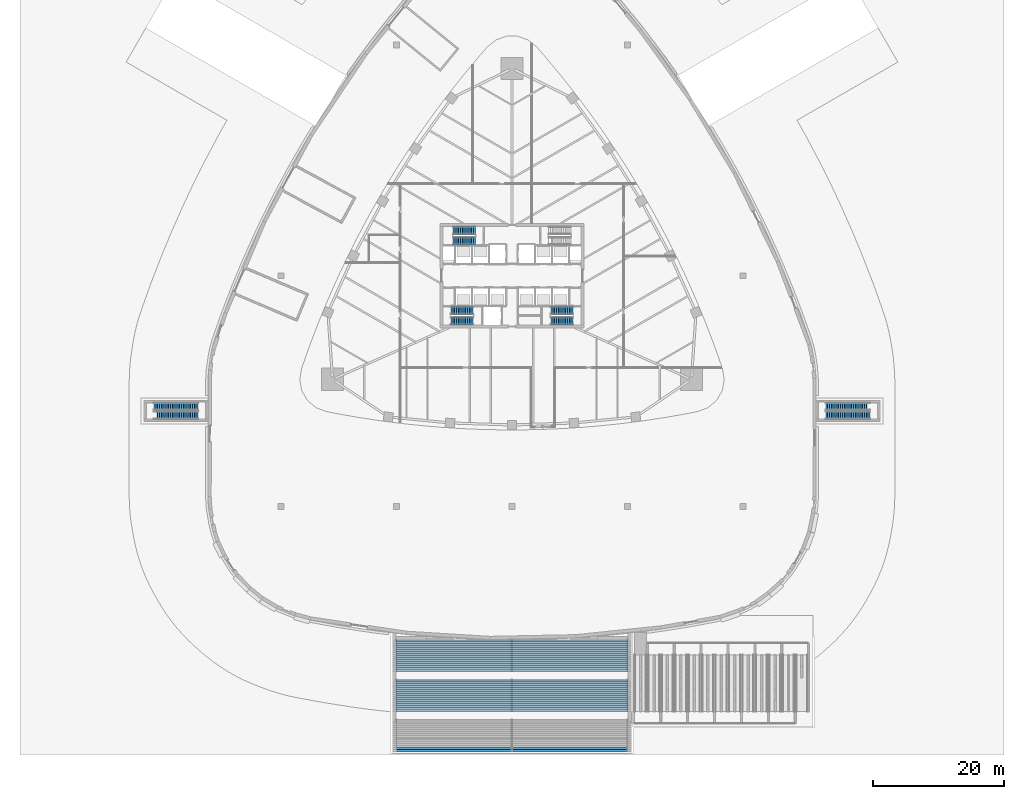
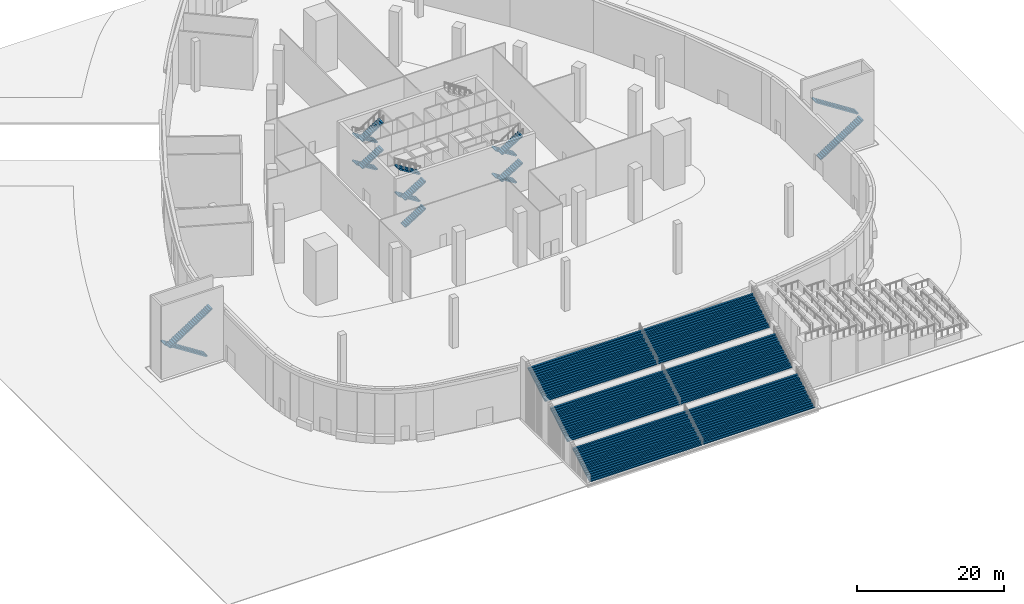
# One storey, part 15 of 29: 19 stair flights, 6 elements without a shape of their own.
"""IFC4 building model written with IfcOpenShell, lengths in metres."""

from ifc_helpers import new_model, si_unit, direction, frame, origin, place, context, subcontext, project, spatial, polyline, outline, extrude, material, type_object, element, aggregate, save


model = new_model("IFC4")

# Units and contexts
model_context = context("Model", 3, precision=1e-05, world=origin(), true_north=direction((0.0, 1.0)))
body_context = subcontext(model_context, "Body", "Model", "MODEL_VIEW")
ifc_project = project(units=[si_unit("LENGTHUNIT", "METRE"), si_unit("AREAUNIT", "SQUARE_METRE"), si_unit("VOLUMEUNIT", "CUBIC_METRE"), si_unit("PLANEANGLEUNIT", "RADIAN"), si_unit("MASSUNIT", "GRAM", prefix="KILO")], contexts=[model_context])

# Site, building, storey
site_placement = place(None, origin())
site = spatial("IfcSite", under=ifc_project, at=site_placement, CompositionType="ELEMENT")
building_placement = place(site_placement, origin())
building = spatial("IfcBuilding", under=site, at=building_placement, Name="Sierra Prisma Convention Tower", CompositionType="ELEMENT")
storey_placement = place(building_placement, origin())
storey = spatial("IfcBuildingStorey", under=building, at=storey_placement, Name="L00", CompositionType="ELEMENT", Elevation=0.0)

# Stair, stair flights
ifc_material_1 = material(Name="Concrete C35/45, limestone finish", Category="masonry")
stair_type_1 = type_object("IfcStairType", Name="Broad stair 3 flights", PredefinedType="NOTDEFINED", material=ifc_material_1)
stair_1_placement = place(storey_placement, origin())
stair_1 = element("IfcStair", 1, at=stair_1_placement, inside=storey, type_object=stair_type_1, Name="Garden stair", PredefinedType="NOTDEFINED")
ifc_material_2 = material(Name="Concrete C35/45, limestone finish", Category="masonry")
stair_flight_type_1 = type_object("IfcStairFlightType", Name="Broad stair flight", PredefinedType="STRAIGHT", material=ifc_material_2)
stair_flight_1_placement = place(storey_placement, frame((0.0, -72.490234375, 0.0), z_axis=(0.0, 0.0, 1.0), x_axis=(0.0, 1.0, 0.0)))
stair_flight_1 = element("IfcStairFlight", 2, at=stair_flight_1_placement, type_object=stair_flight_type_1, Name="ST-G flight 1", NumberOfRisers=17, NumberOfTreads=16, PredefinedType="STRAIGHT", RiserHeight=0.176470588, TreadLength=0.3, context=body_context, shape_type="SweptSolid", body=[
    extrude(outline(polyline([(0.0, 0.0), (0.0, 0.176513671875), (0.300048828125, 0.176513671875), (0.300048828125, 0.35302734375), (0.60009765625, 0.35302734375), (0.60009765625, 0.529296875), (0.89990234375, 0.529296875), (0.89990234375, 0.705810546875), (1.199951171875, 0.705810546875), (1.199951171875, 0.88232421875), (1.5, 0.88232421875), (1.5, 1.058837890625), (1.800048828125, 1.058837890625), (1.800048828125, 1.2353515625), (2.10009765625, 1.2353515625), (2.10009765625, 1.411865234375), (2.39990234375, 1.411865234375), (2.39990234375, 1.588134765625), (2.699951171875, 1.588134765625), (2.699951171875, 1.7646484375), (3.0, 1.7646484375), (3.0, 1.941162109375), (3.300048828125, 1.941162109375), (3.300048828125, 2.11767578125), (3.60009765625, 2.11767578125), (3.60009765625, 2.294189453125), (3.89990234375, 2.294189453125), (3.89990234375, 2.470703125), (4.199951171875, 2.470703125), (4.199951171875, 2.64697265625), (4.5, 2.64697265625), (4.5, 2.823486328125), (4.800048828125, 2.823486328125), (4.800048828125, 3.0), (4.800048828125, 2.649658203125), (0.295654296875, 0.0), (0.0, 0.0)])), frame((0.0, 17.699951171875, 0.0), z_axis=(0.0, -1.0, 0.0), x_axis=(1.0, 0.0, 0.0)), (0.0, 0.0, 1.0), 35.39990234375),
])
stair_flight_2_placement = place(storey_placement, frame((0.0, -66.39013671875, 3.0), z_axis=(0.0, 0.0, 1.0), x_axis=(0.0, 1.0, 0.0)))
stair_flight_2 = element("IfcStairFlight", 3, at=stair_flight_2_placement, type_object=stair_flight_type_1, Name="ST-G flight 2", NumberOfRisers=17, NumberOfTreads=16, PredefinedType="STRAIGHT", RiserHeight=0.176470588, TreadLength=0.3, context=body_context, shape_type="SweptSolid", body=[
    extrude(outline(polyline([(0.0, 0.0), (0.0, 0.176513671875), (0.300048828125, 0.176513671875), (0.300048828125, 0.35302734375), (0.60009765625, 0.35302734375), (0.60009765625, 0.529296875), (0.89990234375, 0.529296875), (0.89990234375, 0.705810546875), (1.199951171875, 0.705810546875), (1.199951171875, 0.88232421875), (1.5, 0.88232421875), (1.5, 1.058837890625), (1.800048828125, 1.058837890625), (1.800048828125, 1.2353515625), (2.10009765625, 1.2353515625), (2.10009765625, 1.411865234375), (2.39990234375, 1.411865234375), (2.39990234375, 1.588134765625), (2.699951171875, 1.588134765625), (2.699951171875, 1.7646484375), (3.0, 1.7646484375), (3.0, 1.941162109375), (3.300048828125, 1.941162109375), (3.300048828125, 2.11767578125), (3.60009765625, 2.11767578125), (3.60009765625, 2.294189453125), (3.89990234375, 2.294189453125), (3.89990234375, 2.470703125), (4.199951171875, 2.470703125), (4.199951171875, 2.64697265625), (4.5, 2.64697265625), (4.5, 2.823486328125), (4.800048828125, 2.823486328125), (4.800048828125, 3.0), (4.800048828125, 2.649658203125), (0.295654296875, 0.0), (0.0, 0.0)])), frame((0.0, 17.699951171875, 0.0), z_axis=(0.0, -1.0, 0.0), x_axis=(1.0, 0.0, 0.0)), (0.0, 0.0, 1.0), 35.39990234375),
])
stair_flight_3_placement = place(storey_placement, frame((0.0, -60.290283203125, 6.0), z_axis=(0.0, 0.0, 1.0), x_axis=(0.0, 1.0, 0.0)))
stair_flight_3 = element("IfcStairFlight", 4, at=stair_flight_3_placement, type_object=stair_flight_type_1, Name="ST-G flight 3", NumberOfRisers=17, NumberOfTreads=16, PredefinedType="STRAIGHT", RiserHeight=0.176470588, TreadLength=0.3, context=body_context, shape_type="SweptSolid", body=[
    extrude(outline(polyline([(0.0, 0.0), (0.0, 0.176513671875), (0.300048828125, 0.176513671875), (0.300048828125, 0.35302734375), (0.60009765625, 0.35302734375), (0.60009765625, 0.529296875), (0.89990234375, 0.529296875), (0.89990234375, 0.705810546875), (1.199951171875, 0.705810546875), (1.199951171875, 0.88232421875), (1.5, 0.88232421875), (1.5, 1.058837890625), (1.800048828125, 1.058837890625), (1.800048828125, 1.2353515625), (2.10009765625, 1.2353515625), (2.10009765625, 1.411865234375), (2.39990234375, 1.411865234375), (2.39990234375, 1.588134765625), (2.699951171875, 1.588134765625), (2.699951171875, 1.7646484375), (3.0, 1.7646484375), (3.0, 1.941162109375), (3.300048828125, 1.941162109375), (3.300048828125, 2.11767578125), (3.60009765625, 2.11767578125), (3.60009765625, 2.294189453125), (3.89990234375, 2.294189453125), (3.89990234375, 2.470703125), (4.199951171875, 2.470703125), (4.199951171875, 2.64697265625), (4.5, 2.64697265625), (4.5, 2.823486328125), (4.800048828125, 2.823486328125), (4.800048828125, 3.0), (4.800048828125, 2.649658203125), (0.295654296875, 0.0), (0.0, 0.0)])), frame((0.0, 17.699951171875, 0.0), z_axis=(0.0, -1.0, 0.0), x_axis=(1.0, 0.0, 0.0)), (0.0, 0.0, 1.0), 35.39990234375),
])
aggregate(stair_1, [stair_flight_1, stair_flight_2, stair_flight_3])

ifc_material_3 = material(Name="Concrete C30/37", Category="concrete")
stair_type_2 = type_object("IfcStairType", Name="Stair dog-leg 1200 RC", PredefinedType="HALF_TURN_STAIR", material=ifc_material_3)
stair_2_placement = place(storey_placement, origin())
stair_2 = element("IfcStair", 5, at=stair_2_placement, inside=storey, type_object=stair_type_2, Name="L00 EX1", PredefinedType="HALF_TURN_STAIR")
ifc_material_4 = material(Name="Concrete C30/37", Category="concrete")
stair_flight_type_2 = type_object("IfcStairFlightType", Name="Stair flight RC 1200", PredefinedType="STRAIGHT", material=ifc_material_4)
stair_flight_4_placement = place(storey_placement, frame((-47.8544921875, -19.925048828125, 0.0), z_axis=(0.0, 0.0, 1.0), x_axis=(-1.0, 0.0, 0.0)))
stair_flight_4 = element("IfcStairFlight", 6, at=stair_flight_4_placement, type_object=stair_flight_type_2, Name="EX1 flight 1", NumberOfRisers=25, NumberOfTreads=24, PredefinedType="STRAIGHT", RiserHeight=0.18, TreadLength=0.28, context=body_context, shape_type="SweptSolid", body=[
    extrude(outline(polyline([(0.0, 0.0), (0.0, 0.179931640625), (0.280029296875, 0.179931640625), (0.280029296875, 0.360107421875), (0.56005859375, 0.360107421875), (0.56005859375, 0.5400390625), (0.840087890625, 0.5400390625), (0.840087890625, 0.719970703125), (1.1201171875, 0.719970703125), (1.1201171875, 0.89990234375), (1.39990234375, 0.89990234375), (1.39990234375, 1.080078125), (1.679931640625, 1.080078125), (1.679931640625, 1.260009765625), (1.9599609375, 1.260009765625), (1.9599609375, 1.43994140625), (2.239990234375, 1.43994140625), (2.239990234375, 1.6201171875), (2.52001953125, 1.6201171875), (2.52001953125, 1.800048828125), (2.800048828125, 1.800048828125), (2.800048828125, 1.97998046875), (3.080078125, 1.97998046875), (3.080078125, 2.159912109375), (3.360107421875, 2.159912109375), (3.360107421875, 2.340087890625), (3.639892578125, 2.340087890625), (3.639892578125, 2.52001953125), (3.919921875, 2.52001953125), (3.919921875, 2.699951171875), (4.199951171875, 2.699951171875), (4.199951171875, 2.8798828125), (4.47998046875, 2.8798828125), (4.47998046875, 3.06005859375), (4.760009765625, 3.06005859375), (4.760009765625, 3.239990234375), (5.0400390625, 3.239990234375), (5.0400390625, 3.419921875), (5.320068359375, 3.419921875), (5.320068359375, 3.60009765625), (5.60009765625, 3.60009765625), (5.60009765625, 3.780029296875), (5.8798828125, 3.780029296875), (5.8798828125, 3.9599609375), (6.159912109375, 3.9599609375), (6.159912109375, 4.139892578125), (6.43994140625, 4.139892578125), (6.43994140625, 4.320068359375), (6.719970703125, 4.320068359375), (6.719970703125, 4.5), (6.719970703125, 4.141845703125), (0.277099609375, 0.0), (0.0, 0.0)])), frame((0.0, 0.60009765625, 0.0), z_axis=(0.0, -1.0, 0.0), x_axis=(1.0, 0.0, 0.0)), (0.0, 0.0, 1.0), 1.199951171875),
])
stair_flight_5_placement = place(storey_placement, frame((-54.57470703125, -21.27490234375, 4.5), z_axis=(0.0, 0.0, 1.0), x_axis=(1.0, 0.0, 0.0)))
stair_flight_5 = element("IfcStairFlight", 7, at=stair_flight_5_placement, type_object=stair_flight_type_2, Name="EX1 flight 2", NumberOfRisers=25, NumberOfTreads=24, PredefinedType="STRAIGHT", RiserHeight=0.18, TreadLength=0.28, context=body_context, shape_type="SweptSolid", body=[
    extrude(outline(polyline([(0.0, 0.0), (0.0, 0.179931640625), (0.280029296875, 0.179931640625), (0.280029296875, 0.360107421875), (0.56005859375, 0.360107421875), (0.56005859375, 0.5400390625), (0.840087890625, 0.5400390625), (0.840087890625, 0.719970703125), (1.1201171875, 0.719970703125), (1.1201171875, 0.89990234375), (1.39990234375, 0.89990234375), (1.39990234375, 1.080078125), (1.679931640625, 1.080078125), (1.679931640625, 1.260009765625), (1.9599609375, 1.260009765625), (1.9599609375, 1.43994140625), (2.239990234375, 1.43994140625), (2.239990234375, 1.6201171875), (2.52001953125, 1.6201171875), (2.52001953125, 1.800048828125), (2.800048828125, 1.800048828125), (2.800048828125, 1.97998046875), (3.080078125, 1.97998046875), (3.080078125, 2.159912109375), (3.360107421875, 2.159912109375), (3.360107421875, 2.340087890625), (3.639892578125, 2.340087890625), (3.639892578125, 2.52001953125), (3.919921875, 2.52001953125), (3.919921875, 2.699951171875), (4.199951171875, 2.699951171875), (4.199951171875, 2.8798828125), (4.47998046875, 2.8798828125), (4.47998046875, 3.06005859375), (4.760009765625, 3.06005859375), (4.760009765625, 3.239990234375), (5.0400390625, 3.239990234375), (5.0400390625, 3.419921875), (5.320068359375, 3.419921875), (5.320068359375, 3.60009765625), (5.60009765625, 3.60009765625), (5.60009765625, 3.780029296875), (5.8798828125, 3.780029296875), (5.8798828125, 3.9599609375), (6.159912109375, 3.9599609375), (6.159912109375, 4.139892578125), (6.43994140625, 4.139892578125), (6.43994140625, 4.320068359375), (6.719970703125, 4.320068359375), (6.719970703125, 4.5), (6.719970703125, 4.141845703125), (0.277099609375, 0.0), (0.0, 0.0)])), frame((0.0, 0.60009765625, 0.0), z_axis=(0.0, -1.0, 0.0), x_axis=(1.0, 0.0, 0.0)), (0.0, 0.0, 1.0), 1.199951171875),
])
aggregate(stair_2, [stair_flight_4, stair_flight_5])

stair_3_placement = place(storey_placement, origin())
stair_3 = element("IfcStair", 8, at=stair_3_placement, inside=storey, type_object=stair_type_2, Name="L00 EX2", PredefinedType="HALF_TURN_STAIR")
stair_flight_6_placement = place(storey_placement, frame((47.84912109375, -21.27490234375, 0.0), z_axis=(0.0, 0.0, 1.0), x_axis=(1.0, 0.0, 0.0)))
stair_flight_6 = element("IfcStairFlight", 9, at=stair_flight_6_placement, type_object=stair_flight_type_2, Name="EX2 flight 1", NumberOfRisers=25, NumberOfTreads=24, PredefinedType="STRAIGHT", RiserHeight=0.18, TreadLength=0.28, context=body_context, shape_type="SweptSolid", body=[
    extrude(outline(polyline([(0.0, 0.0), (0.0, 0.179931640625), (0.280029296875, 0.179931640625), (0.280029296875, 0.360107421875), (0.56005859375, 0.360107421875), (0.56005859375, 0.5400390625), (0.840087890625, 0.5400390625), (0.840087890625, 0.719970703125), (1.1201171875, 0.719970703125), (1.1201171875, 0.89990234375), (1.39990234375, 0.89990234375), (1.39990234375, 1.080078125), (1.679931640625, 1.080078125), (1.679931640625, 1.260009765625), (1.9599609375, 1.260009765625), (1.9599609375, 1.43994140625), (2.239990234375, 1.43994140625), (2.239990234375, 1.6201171875), (2.52001953125, 1.6201171875), (2.52001953125, 1.800048828125), (2.800048828125, 1.800048828125), (2.800048828125, 1.97998046875), (3.080078125, 1.97998046875), (3.080078125, 2.159912109375), (3.360107421875, 2.159912109375), (3.360107421875, 2.340087890625), (3.639892578125, 2.340087890625), (3.639892578125, 2.52001953125), (3.919921875, 2.52001953125), (3.919921875, 2.699951171875), (4.199951171875, 2.699951171875), (4.199951171875, 2.8798828125), (4.47998046875, 2.8798828125), (4.47998046875, 3.06005859375), (4.760009765625, 3.06005859375), (4.760009765625, 3.239990234375), (5.0400390625, 3.239990234375), (5.0400390625, 3.419921875), (5.320068359375, 3.419921875), (5.320068359375, 3.60009765625), (5.60009765625, 3.60009765625), (5.60009765625, 3.780029296875), (5.8798828125, 3.780029296875), (5.8798828125, 3.9599609375), (6.159912109375, 3.9599609375), (6.159912109375, 4.139892578125), (6.43994140625, 4.139892578125), (6.43994140625, 4.320068359375), (6.719970703125, 4.320068359375), (6.719970703125, 4.5), (6.719970703125, 4.141845703125), (0.277099609375, 0.0), (0.0, 0.0)])), frame((0.0, 0.60009765625, 0.0), z_axis=(0.0, -1.0, 0.0), x_axis=(1.0, 0.0, 0.0)), (0.0, 0.0, 1.0), 1.199951171875),
])
stair_flight_7_placement = place(storey_placement, frame((54.569091796875, -19.925048828125, 4.5), z_axis=(0.0, 0.0, 1.0), x_axis=(-1.0, 0.0, 0.0)))
stair_flight_7 = element("IfcStairFlight", 10, at=stair_flight_7_placement, type_object=stair_flight_type_2, Name="EX2 flight 2", NumberOfRisers=25, NumberOfTreads=24, PredefinedType="STRAIGHT", RiserHeight=0.18, TreadLength=0.28, context=body_context, shape_type="SweptSolid", body=[
    extrude(outline(polyline([(0.0, 0.0), (0.0, 0.179931640625), (0.280029296875, 0.179931640625), (0.280029296875, 0.360107421875), (0.56005859375, 0.360107421875), (0.56005859375, 0.5400390625), (0.840087890625, 0.5400390625), (0.840087890625, 0.719970703125), (1.1201171875, 0.719970703125), (1.1201171875, 0.89990234375), (1.39990234375, 0.89990234375), (1.39990234375, 1.080078125), (1.679931640625, 1.080078125), (1.679931640625, 1.260009765625), (1.9599609375, 1.260009765625), (1.9599609375, 1.43994140625), (2.239990234375, 1.43994140625), (2.239990234375, 1.6201171875), (2.52001953125, 1.6201171875), (2.52001953125, 1.800048828125), (2.800048828125, 1.800048828125), (2.800048828125, 1.97998046875), (3.080078125, 1.97998046875), (3.080078125, 2.159912109375), (3.360107421875, 2.159912109375), (3.360107421875, 2.340087890625), (3.639892578125, 2.340087890625), (3.639892578125, 2.52001953125), (3.919921875, 2.52001953125), (3.919921875, 2.699951171875), (4.199951171875, 2.699951171875), (4.199951171875, 2.8798828125), (4.47998046875, 2.8798828125), (4.47998046875, 3.06005859375), (4.760009765625, 3.06005859375), (4.760009765625, 3.239990234375), (5.0400390625, 3.239990234375), (5.0400390625, 3.419921875), (5.320068359375, 3.419921875), (5.320068359375, 3.60009765625), (5.60009765625, 3.60009765625), (5.60009765625, 3.780029296875), (5.8798828125, 3.780029296875), (5.8798828125, 3.9599609375), (6.159912109375, 3.9599609375), (6.159912109375, 4.139892578125), (6.43994140625, 4.139892578125), (6.43994140625, 4.320068359375), (6.719970703125, 4.320068359375), (6.719970703125, 4.5), (6.719970703125, 4.141845703125), (0.277099609375, 0.0), (0.0, 0.0)])), frame((0.0, 0.60009765625, 0.0), z_axis=(0.0, -1.0, 0.0), x_axis=(1.0, 0.0, 0.0)), (0.0, 0.0, 1.0), 1.199951171875),
])
aggregate(stair_3, [stair_flight_6, stair_flight_7])

stair_4_placement = place(storey_placement, origin())
stair_4 = element("IfcStair", 11, at=stair_4_placement, inside=storey, type_object=stair_type_2, Name="L00 S1", PredefinedType="HALF_TURN_STAIR")
stair_flight_8_placement = place(storey_placement, frame((-9.300048828125, -6.89990234375, 0.0), z_axis=(0.0, 0.0, 1.0), x_axis=(1.0, 0.0, 0.0)))
stair_flight_8 = element("IfcStairFlight", 12, at=stair_flight_8_placement, type_object=stair_flight_type_2, Name="S1 flight 1", NumberOfRisers=13, NumberOfTreads=12, PredefinedType="STRAIGHT", RiserHeight=0.173076923, TreadLength=0.28, context=body_context, shape_type="SweptSolid", body=[
    extrude(outline(polyline([(0.0, 0.0), (0.0, 0.173095703125), (0.280029296875, 0.173095703125), (0.280029296875, 0.34619140625), (0.56005859375, 0.34619140625), (0.56005859375, 0.519287109375), (0.840087890625, 0.519287109375), (0.840087890625, 0.6923828125), (1.1201171875, 0.6923828125), (1.1201171875, 0.865478515625), (1.39990234375, 0.865478515625), (1.39990234375, 1.03857421875), (1.679931640625, 1.03857421875), (1.679931640625, 1.21142578125), (1.9599609375, 1.21142578125), (1.9599609375, 1.384521484375), (2.239990234375, 1.384521484375), (2.239990234375, 1.5576171875), (2.52001953125, 1.5576171875), (2.52001953125, 1.730712890625), (2.800048828125, 1.730712890625), (2.800048828125, 1.90380859375), (3.080078125, 1.90380859375), (3.080078125, 2.076904296875), (3.360107421875, 2.076904296875), (3.360107421875, 2.25), (3.360107421875, 1.900634765625), (0.28515625, 0.0), (0.0, 0.0)])), frame((0.0, 0.60009765625, 0.0), z_axis=(0.0, -1.0, 0.0), x_axis=(1.0, 0.0, 0.0)), (0.0, 0.0, 1.0), 1.199951171875),
])
stair_flight_9_placement = place(storey_placement, frame((-5.93994140625, -5.300048828125, 2.25), z_axis=(0.0, 0.0, 1.0), x_axis=(-1.0, 0.0, 0.0)))
stair_flight_9 = element("IfcStairFlight", 13, at=stair_flight_9_placement, type_object=stair_flight_type_2, Name="S1 flight 2", NumberOfRisers=13, NumberOfTreads=12, PredefinedType="STRAIGHT", RiserHeight=0.173076923, TreadLength=0.28, context=body_context, shape_type="SweptSolid", body=[
    extrude(outline(polyline([(0.0, 0.0), (0.0, 0.173095703125), (0.280029296875, 0.173095703125), (0.280029296875, 0.34619140625), (0.56005859375, 0.34619140625), (0.56005859375, 0.519287109375), (0.840087890625, 0.519287109375), (0.840087890625, 0.6923828125), (1.1201171875, 0.6923828125), (1.1201171875, 0.865478515625), (1.39990234375, 0.865478515625), (1.39990234375, 1.03857421875), (1.679931640625, 1.03857421875), (1.679931640625, 1.21142578125), (1.9599609375, 1.21142578125), (1.9599609375, 1.384521484375), (2.239990234375, 1.384521484375), (2.239990234375, 1.5576171875), (2.52001953125, 1.5576171875), (2.52001953125, 1.730712890625), (2.800048828125, 1.730712890625), (2.800048828125, 1.90380859375), (3.080078125, 1.90380859375), (3.080078125, 2.076904296875), (3.360107421875, 2.076904296875), (3.360107421875, 2.25), (3.360107421875, 1.900634765625), (0.28515625, 0.0), (0.0, 0.0)])), frame((0.0, 0.60009765625, 0.0), z_axis=(0.0, -1.0, 0.0), x_axis=(1.0, 0.0, 0.0)), (0.0, 0.0, 1.0), 1.199951171875),
])
stair_flight_10_placement = place(storey_placement, frame((-9.300048828125, -6.89990234375, 4.5), z_axis=(0.0, 0.0, 1.0), x_axis=(1.0, 0.0, 0.0)))
stair_flight_10 = element("IfcStairFlight", 14, at=stair_flight_10_placement, type_object=stair_flight_type_2, Name="S1 flight 3", NumberOfRisers=13, NumberOfTreads=12, PredefinedType="STRAIGHT", RiserHeight=0.173076923, TreadLength=0.28, context=body_context, shape_type="SweptSolid", body=[
    extrude(outline(polyline([(0.0, 0.0), (0.0, 0.173095703125), (0.280029296875, 0.173095703125), (0.280029296875, 0.34619140625), (0.56005859375, 0.34619140625), (0.56005859375, 0.519287109375), (0.840087890625, 0.519287109375), (0.840087890625, 0.6923828125), (1.1201171875, 0.6923828125), (1.1201171875, 0.865478515625), (1.39990234375, 0.865478515625), (1.39990234375, 1.03857421875), (1.679931640625, 1.03857421875), (1.679931640625, 1.21142578125), (1.9599609375, 1.21142578125), (1.9599609375, 1.384521484375), (2.239990234375, 1.384521484375), (2.239990234375, 1.5576171875), (2.52001953125, 1.5576171875), (2.52001953125, 1.730712890625), (2.800048828125, 1.730712890625), (2.800048828125, 1.90380859375), (3.080078125, 1.90380859375), (3.080078125, 2.076904296875), (3.360107421875, 2.076904296875), (3.360107421875, 2.25), (3.360107421875, 1.900634765625), (0.28515625, 0.0), (0.0, 0.0)])), frame((0.0, 0.60009765625, 0.0), z_axis=(0.0, -1.0, 0.0), x_axis=(1.0, 0.0, 0.0)), (0.0, 0.0, 1.0), 1.199951171875),
])
stair_flight_11_placement = place(storey_placement, frame((-5.93994140625, -5.300048828125, 6.75), z_axis=(0.0, 0.0, 1.0), x_axis=(-1.0, 0.0, 0.0)))
stair_flight_11 = element("IfcStairFlight", 15, at=stair_flight_11_placement, type_object=stair_flight_type_2, Name="S1 flight 4", NumberOfRisers=13, NumberOfTreads=12, PredefinedType="STRAIGHT", RiserHeight=0.173076923, TreadLength=0.28, context=body_context, shape_type="SweptSolid", body=[
    extrude(outline(polyline([(0.0, 0.0), (0.0, 0.173095703125), (0.280029296875, 0.173095703125), (0.280029296875, 0.34619140625), (0.56005859375, 0.34619140625), (0.56005859375, 0.519287109375), (0.840087890625, 0.519287109375), (0.840087890625, 0.6923828125), (1.1201171875, 0.6923828125), (1.1201171875, 0.865478515625), (1.39990234375, 0.865478515625), (1.39990234375, 1.03857421875), (1.679931640625, 1.03857421875), (1.679931640625, 1.21142578125), (1.9599609375, 1.21142578125), (1.9599609375, 1.384521484375), (2.239990234375, 1.384521484375), (2.239990234375, 1.5576171875), (2.52001953125, 1.5576171875), (2.52001953125, 1.730712890625), (2.800048828125, 1.730712890625), (2.800048828125, 1.90380859375), (3.080078125, 1.90380859375), (3.080078125, 2.076904296875), (3.360107421875, 2.076904296875), (3.360107421875, 2.25), (3.360107421875, 1.900634765625), (0.28515625, 0.0), (0.0, 0.0)])), frame((0.0, 0.60009765625, 0.0), z_axis=(0.0, -1.0, 0.0), x_axis=(1.0, 0.0, 0.0)), (0.0, 0.0, 1.0), 1.199951171875),
])
aggregate(stair_4, [stair_flight_8, stair_flight_9, stair_flight_10, stair_flight_11])

stair_5_placement = place(storey_placement, origin())
stair_5 = element("IfcStair", 16, at=stair_5_placement, inside=storey, type_object=stair_type_2, Name="L00 S2", PredefinedType="HALF_TURN_STAIR")
stair_flight_12_placement = place(storey_placement, frame((9.300048828125, -5.300048828125, 0.0), z_axis=(0.0, 0.0, 1.0), x_axis=(-1.0, 0.0, 0.0)))
stair_flight_12 = element("IfcStairFlight", 17, at=stair_flight_12_placement, type_object=stair_flight_type_2, Name="S2 flight 1", NumberOfRisers=13, NumberOfTreads=12, PredefinedType="STRAIGHT", RiserHeight=0.173076923, TreadLength=0.28, context=body_context, shape_type="SweptSolid", body=[
    extrude(outline(polyline([(0.0, 0.0), (0.0, 0.173095703125), (0.280029296875, 0.173095703125), (0.280029296875, 0.34619140625), (0.56005859375, 0.34619140625), (0.56005859375, 0.519287109375), (0.840087890625, 0.519287109375), (0.840087890625, 0.6923828125), (1.1201171875, 0.6923828125), (1.1201171875, 0.865478515625), (1.39990234375, 0.865478515625), (1.39990234375, 1.03857421875), (1.679931640625, 1.03857421875), (1.679931640625, 1.21142578125), (1.9599609375, 1.21142578125), (1.9599609375, 1.384521484375), (2.239990234375, 1.384521484375), (2.239990234375, 1.5576171875), (2.52001953125, 1.5576171875), (2.52001953125, 1.730712890625), (2.800048828125, 1.730712890625), (2.800048828125, 1.90380859375), (3.080078125, 1.90380859375), (3.080078125, 2.076904296875), (3.360107421875, 2.076904296875), (3.360107421875, 2.25), (3.360107421875, 1.900634765625), (0.28515625, 0.0), (0.0, 0.0)])), frame((0.0, 0.60009765625, 0.0), z_axis=(0.0, -1.0, 0.0), x_axis=(1.0, 0.0, 0.0)), (0.0, 0.0, 1.0), 1.199951171875),
])
stair_flight_13_placement = place(storey_placement, frame((5.93994140625, -6.89990234375, 2.25), z_axis=(0.0, 0.0, 1.0), x_axis=(1.0, 0.0, 0.0)))
stair_flight_13 = element("IfcStairFlight", 18, at=stair_flight_13_placement, type_object=stair_flight_type_2, Name="S2 flight 2", NumberOfRisers=13, NumberOfTreads=12, PredefinedType="STRAIGHT", RiserHeight=0.173076923, TreadLength=0.28, context=body_context, shape_type="SweptSolid", body=[
    extrude(outline(polyline([(0.0, 0.0), (0.0, 0.173095703125), (0.280029296875, 0.173095703125), (0.280029296875, 0.34619140625), (0.56005859375, 0.34619140625), (0.56005859375, 0.519287109375), (0.840087890625, 0.519287109375), (0.840087890625, 0.6923828125), (1.1201171875, 0.6923828125), (1.1201171875, 0.865478515625), (1.39990234375, 0.865478515625), (1.39990234375, 1.03857421875), (1.679931640625, 1.03857421875), (1.679931640625, 1.21142578125), (1.9599609375, 1.21142578125), (1.9599609375, 1.384521484375), (2.239990234375, 1.384521484375), (2.239990234375, 1.5576171875), (2.52001953125, 1.5576171875), (2.52001953125, 1.730712890625), (2.800048828125, 1.730712890625), (2.800048828125, 1.90380859375), (3.080078125, 1.90380859375), (3.080078125, 2.076904296875), (3.360107421875, 2.076904296875), (3.360107421875, 2.25), (3.360107421875, 1.900634765625), (0.28515625, 0.0), (0.0, 0.0)])), frame((0.0, 0.60009765625, 0.0), z_axis=(0.0, -1.0, 0.0), x_axis=(1.0, 0.0, 0.0)), (0.0, 0.0, 1.0), 1.199951171875),
])
stair_flight_14_placement = place(storey_placement, frame((9.300048828125, -5.300048828125, 4.5), z_axis=(0.0, 0.0, 1.0), x_axis=(-1.0, 0.0, 0.0)))
stair_flight_14 = element("IfcStairFlight", 19, at=stair_flight_14_placement, type_object=stair_flight_type_2, Name="S2 flight 3", NumberOfRisers=13, NumberOfTreads=12, PredefinedType="STRAIGHT", RiserHeight=0.173076923, TreadLength=0.28, context=body_context, shape_type="SweptSolid", body=[
    extrude(outline(polyline([(0.0, 0.0), (0.0, 0.173095703125), (0.280029296875, 0.173095703125), (0.280029296875, 0.34619140625), (0.56005859375, 0.34619140625), (0.56005859375, 0.519287109375), (0.840087890625, 0.519287109375), (0.840087890625, 0.6923828125), (1.1201171875, 0.6923828125), (1.1201171875, 0.865478515625), (1.39990234375, 0.865478515625), (1.39990234375, 1.03857421875), (1.679931640625, 1.03857421875), (1.679931640625, 1.21142578125), (1.9599609375, 1.21142578125), (1.9599609375, 1.384521484375), (2.239990234375, 1.384521484375), (2.239990234375, 1.5576171875), (2.52001953125, 1.5576171875), (2.52001953125, 1.730712890625), (2.800048828125, 1.730712890625), (2.800048828125, 1.90380859375), (3.080078125, 1.90380859375), (3.080078125, 2.076904296875), (3.360107421875, 2.076904296875), (3.360107421875, 2.25), (3.360107421875, 1.900634765625), (0.28515625, 0.0), (0.0, 0.0)])), frame((0.0, 0.60009765625, 0.0), z_axis=(0.0, -1.0, 0.0), x_axis=(1.0, 0.0, 0.0)), (0.0, 0.0, 1.0), 1.199951171875),
])
stair_flight_15_placement = place(storey_placement, frame((5.93994140625, -6.89990234375, 6.75), z_axis=(0.0, 0.0, 1.0), x_axis=(1.0, 0.0, 0.0)))
stair_flight_15 = element("IfcStairFlight", 20, at=stair_flight_15_placement, type_object=stair_flight_type_2, Name="S2 flight 4", NumberOfRisers=13, NumberOfTreads=12, PredefinedType="STRAIGHT", RiserHeight=0.173076923, TreadLength=0.28, context=body_context, shape_type="SweptSolid", body=[
    extrude(outline(polyline([(0.0, 0.0), (0.0, 0.173095703125), (0.280029296875, 0.173095703125), (0.280029296875, 0.34619140625), (0.56005859375, 0.34619140625), (0.56005859375, 0.519287109375), (0.840087890625, 0.519287109375), (0.840087890625, 0.6923828125), (1.1201171875, 0.6923828125), (1.1201171875, 0.865478515625), (1.39990234375, 0.865478515625), (1.39990234375, 1.03857421875), (1.679931640625, 1.03857421875), (1.679931640625, 1.21142578125), (1.9599609375, 1.21142578125), (1.9599609375, 1.384521484375), (2.239990234375, 1.384521484375), (2.239990234375, 1.5576171875), (2.52001953125, 1.5576171875), (2.52001953125, 1.730712890625), (2.800048828125, 1.730712890625), (2.800048828125, 1.90380859375), (3.080078125, 1.90380859375), (3.080078125, 2.076904296875), (3.360107421875, 2.076904296875), (3.360107421875, 2.25), (3.360107421875, 1.900634765625), (0.28515625, 0.0), (0.0, 0.0)])), frame((0.0, 0.60009765625, 0.0), z_axis=(0.0, -1.0, 0.0), x_axis=(1.0, 0.0, 0.0)), (0.0, 0.0, 1.0), 1.199951171875),
])
aggregate(stair_5, [stair_flight_12, stair_flight_13, stair_flight_14, stair_flight_15])

stair_6_placement = place(storey_placement, origin())
stair_6 = element("IfcStair", 21, at=stair_6_placement, inside=storey, type_object=stair_type_2, Name="L00 S3", PredefinedType="HALF_TURN_STAIR")
stair_flight_16_placement = place(storey_placement, frame((-5.60009765625, 6.89990234375, 0.0), z_axis=(0.0, 0.0, 1.0), x_axis=(-1.0, 0.0, 0.0)))
stair_flight_16 = element("IfcStairFlight", 22, at=stair_flight_16_placement, type_object=stair_flight_type_2, Name="S3 flight 1", NumberOfRisers=13, NumberOfTreads=12, PredefinedType="STRAIGHT", RiserHeight=0.173076923, TreadLength=0.28, context=body_context, shape_type="SweptSolid", body=[
    extrude(outline(polyline([(0.0, 0.0), (0.0, 0.173095703125), (0.280029296875, 0.173095703125), (0.280029296875, 0.34619140625), (0.56005859375, 0.34619140625), (0.56005859375, 0.519287109375), (0.840087890625, 0.519287109375), (0.840087890625, 0.6923828125), (1.1201171875, 0.6923828125), (1.1201171875, 0.865478515625), (1.39990234375, 0.865478515625), (1.39990234375, 1.03857421875), (1.679931640625, 1.03857421875), (1.679931640625, 1.21142578125), (1.9599609375, 1.21142578125), (1.9599609375, 1.384521484375), (2.239990234375, 1.384521484375), (2.239990234375, 1.5576171875), (2.52001953125, 1.5576171875), (2.52001953125, 1.730712890625), (2.800048828125, 1.730712890625), (2.800048828125, 1.90380859375), (3.080078125, 1.90380859375), (3.080078125, 2.076904296875), (3.360107421875, 2.076904296875), (3.360107421875, 2.25), (3.360107421875, 1.900634765625), (0.28515625, 0.0), (0.0, 0.0)])), frame((0.0, 0.60009765625, 0.0), z_axis=(0.0, -1.0, 0.0), x_axis=(1.0, 0.0, 0.0)), (0.0, 0.0, 1.0), 1.199951171875),
])
stair_flight_17_placement = place(storey_placement, frame((-8.9599609375, 5.300048828125, 2.25), z_axis=(0.0, 0.0, 1.0), x_axis=(1.0, 0.0, 0.0)))
stair_flight_17 = element("IfcStairFlight", 23, at=stair_flight_17_placement, type_object=stair_flight_type_2, Name="S3 flight 2", NumberOfRisers=13, NumberOfTreads=12, PredefinedType="STRAIGHT", RiserHeight=0.173076923, TreadLength=0.28, context=body_context, shape_type="SweptSolid", body=[
    extrude(outline(polyline([(0.0, 0.0), (0.0, 0.173095703125), (0.280029296875, 0.173095703125), (0.280029296875, 0.34619140625), (0.56005859375, 0.34619140625), (0.56005859375, 0.519287109375), (0.840087890625, 0.519287109375), (0.840087890625, 0.6923828125), (1.1201171875, 0.6923828125), (1.1201171875, 0.865478515625), (1.39990234375, 0.865478515625), (1.39990234375, 1.03857421875), (1.679931640625, 1.03857421875), (1.679931640625, 1.21142578125), (1.9599609375, 1.21142578125), (1.9599609375, 1.384521484375), (2.239990234375, 1.384521484375), (2.239990234375, 1.5576171875), (2.52001953125, 1.5576171875), (2.52001953125, 1.730712890625), (2.800048828125, 1.730712890625), (2.800048828125, 1.90380859375), (3.080078125, 1.90380859375), (3.080078125, 2.076904296875), (3.360107421875, 2.076904296875), (3.360107421875, 2.25), (3.360107421875, 1.900634765625), (0.28515625, 0.0), (0.0, 0.0)])), frame((0.0, 0.60009765625, 0.0), z_axis=(0.0, -1.0, 0.0), x_axis=(1.0, 0.0, 0.0)), (0.0, 0.0, 1.0), 1.199951171875),
])
stair_flight_18_placement = place(storey_placement, frame((-5.60009765625, 6.89990234375, 4.5), z_axis=(0.0, 0.0, 1.0), x_axis=(-1.0, 0.0, 0.0)))
stair_flight_18 = element("IfcStairFlight", 24, at=stair_flight_18_placement, type_object=stair_flight_type_2, Name="S3 flight 3", NumberOfRisers=13, NumberOfTreads=12, PredefinedType="STRAIGHT", RiserHeight=0.173076923, TreadLength=0.28, context=body_context, shape_type="SweptSolid", body=[
    extrude(outline(polyline([(0.0, 0.0), (0.0, 0.173095703125), (0.280029296875, 0.173095703125), (0.280029296875, 0.34619140625), (0.56005859375, 0.34619140625), (0.56005859375, 0.519287109375), (0.840087890625, 0.519287109375), (0.840087890625, 0.6923828125), (1.1201171875, 0.6923828125), (1.1201171875, 0.865478515625), (1.39990234375, 0.865478515625), (1.39990234375, 1.03857421875), (1.679931640625, 1.03857421875), (1.679931640625, 1.21142578125), (1.9599609375, 1.21142578125), (1.9599609375, 1.384521484375), (2.239990234375, 1.384521484375), (2.239990234375, 1.5576171875), (2.52001953125, 1.5576171875), (2.52001953125, 1.730712890625), (2.800048828125, 1.730712890625), (2.800048828125, 1.90380859375), (3.080078125, 1.90380859375), (3.080078125, 2.076904296875), (3.360107421875, 2.076904296875), (3.360107421875, 2.25), (3.360107421875, 1.900634765625), (0.28515625, 0.0), (0.0, 0.0)])), frame((0.0, 0.60009765625, 0.0), z_axis=(0.0, -1.0, 0.0), x_axis=(1.0, 0.0, 0.0)), (0.0, 0.0, 1.0), 1.199951171875),
])
stair_flight_19_placement = place(storey_placement, frame((-8.9599609375, 5.300048828125, 6.75), z_axis=(0.0, 0.0, 1.0), x_axis=(1.0, 0.0, 0.0)))
stair_flight_19 = element("IfcStairFlight", 25, at=stair_flight_19_placement, type_object=stair_flight_type_2, Name="S3 flight 4", NumberOfRisers=13, NumberOfTreads=12, PredefinedType="STRAIGHT", RiserHeight=0.173076923, TreadLength=0.28, context=body_context, shape_type="SweptSolid", body=[
    extrude(outline(polyline([(0.0, 0.0), (0.0, 0.173095703125), (0.280029296875, 0.173095703125), (0.280029296875, 0.34619140625), (0.56005859375, 0.34619140625), (0.56005859375, 0.519287109375), (0.840087890625, 0.519287109375), (0.840087890625, 0.6923828125), (1.1201171875, 0.6923828125), (1.1201171875, 0.865478515625), (1.39990234375, 0.865478515625), (1.39990234375, 1.03857421875), (1.679931640625, 1.03857421875), (1.679931640625, 1.21142578125), (1.9599609375, 1.21142578125), (1.9599609375, 1.384521484375), (2.239990234375, 1.384521484375), (2.239990234375, 1.5576171875), (2.52001953125, 1.5576171875), (2.52001953125, 1.730712890625), (2.800048828125, 1.730712890625), (2.800048828125, 1.90380859375), (3.080078125, 1.90380859375), (3.080078125, 2.076904296875), (3.360107421875, 2.076904296875), (3.360107421875, 2.25), (3.360107421875, 1.900634765625), (0.28515625, 0.0), (0.0, 0.0)])), frame((0.0, 0.60009765625, 0.0), z_axis=(0.0, -1.0, 0.0), x_axis=(1.0, 0.0, 0.0)), (0.0, 0.0, 1.0), 1.199951171875),
])
aggregate(stair_6, [stair_flight_16, stair_flight_17, stair_flight_18, stair_flight_19])

save(model, "model.ifc")
